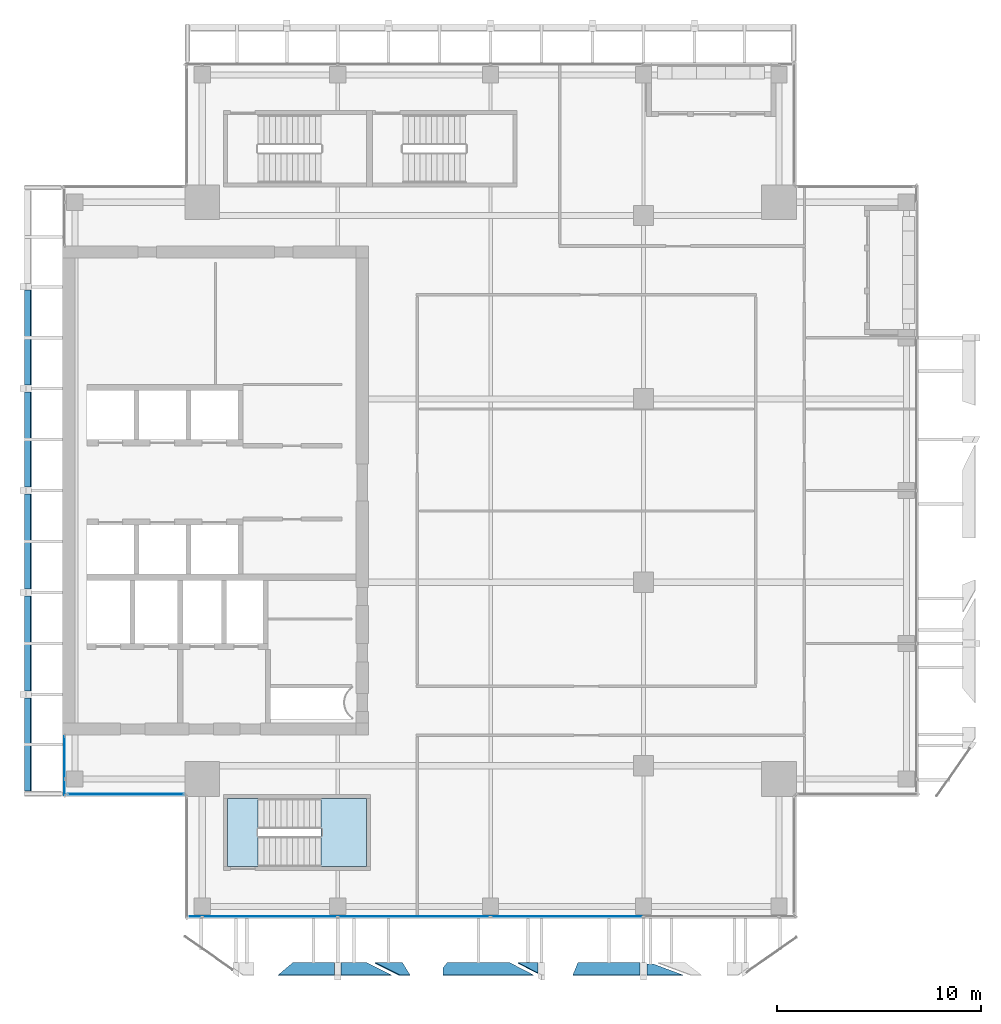
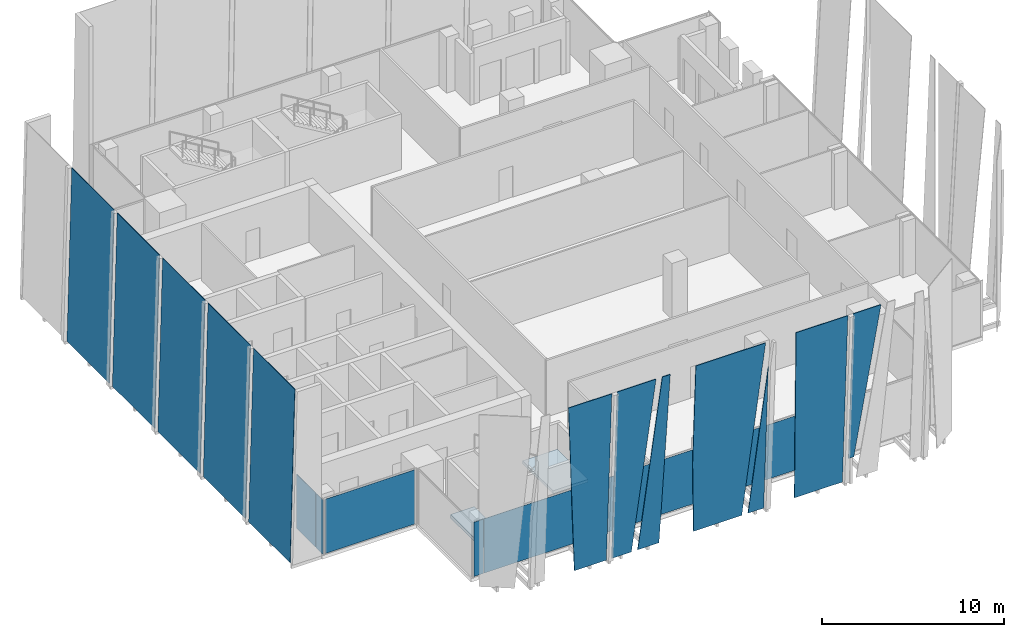
# One storey, part 21 of 32: 19 plates, 2 slabs, 4 elements without a shape of their own.
"""IFC4 building model written with IfcOpenShell, lengths in metres."""

from ifc_helpers import new_model, si_unit, direction, frame, origin, origin_2d, place, context, subcontext, project, spatial, polyline, rectangle, outline, extrude, source, transform, mapped, material, layer, layer_set, type_object, element, aggregate, save


model = new_model("IFC4")

# Units and contexts
model_context = context("Model", 3, precision=1e-05, world=origin(), true_north=direction((0.0, 1.0)))
body_context = subcontext(model_context, "Body", "Model", "MODEL_VIEW")
ifc_project = project(units=[si_unit("LENGTHUNIT", "METRE"), si_unit("AREAUNIT", "SQUARE_METRE"), si_unit("VOLUMEUNIT", "CUBIC_METRE"), si_unit("PLANEANGLEUNIT", "RADIAN"), si_unit("MASSUNIT", "GRAM", prefix="KILO")], contexts=[model_context])

# Site, building, storey
site_placement = place(None, origin())
site = spatial("IfcSite", under=ifc_project, at=site_placement, CompositionType="ELEMENT")
building_placement = place(site_placement, origin())
building = spatial("IfcBuilding", under=site, at=building_placement, Name="Khomas Fold Tower", CompositionType="ELEMENT")
storey_placement = place(building_placement, frame((0.0, 0.0, 306.199951171875)))
storey = spatial("IfcBuildingStorey", under=building, at=storey_placement, Name="L69", CompositionType="ELEMENT", Elevation=306.199951171875)

# Plates
ifc_material_1 = material(Name="Clear laminated glass", Category="glass")
ifc_layer_1 = layer(ifc_material_1, 0.0400390625)
ifc_layer_set_1 = layer_set([ifc_layer_1], Name="Clear laminated glass")
plate_type_1 = type_object("IfcPlateType", Name="SK-Clear laminated glass leaf", PredefinedType="SHEET", material=ifc_layer_set_1)
plate_1_placement = place(storey_placement, frame((22.673828125, 3.84228515625, 0.0), z_axis=(0.0, 0.99862882819, 0.052349436554), x_axis=(-1.0, 0.0, 0.0)))
element("IfcPlate", 1, at=plate_1_placement, inside=storey, type_object=plate_type_1, Name="OUTER SKIN glass L69 SG100-4", PredefinedType="SHEET", context=body_context, shape_type="SweptSolid", body=[
    extrude(outline(polyline([(0.0, 0.0), (1.3486328125, 0.0), (0.134033203125, 11.565907674683308), (-0.37255859375, 11.565907674683308), (0.0, 0.0)])), origin(), (0.0, 0.0, -1.0), 0.0400390625),
])
plate_2_placement = place(storey_placement, frame((17.30029296875, 3.84228515625, 0.0), z_axis=(0.0, 0.99862882819, 0.052349436554), x_axis=(-0.062276035864, -0.052247824406, 0.996690453552)))
element("IfcPlate", 2, at=plate_2_placement, inside=storey, type_object=plate_type_1, Name="OUTER SKIN glass L69 SG099-5", PredefinedType="SHEET", context=body_context, shape_type="SweptSolid", body=[
    extrude(outline(polyline([(0.0, 0.0), (11.588401180087285, 0.0), (11.41705085679879, 2.746124151072042), (-0.1264069731872715, 2.0258452699212914), (0.0, 0.0)])), origin(), (0.0, 0.0, -1.0), 0.0400390625),
])
plate_3_placement = place(storey_placement, frame((20.9228515625, 3.84228515625, 0.0), z_axis=(0.0, 0.99862882819, 0.052349436554), x_axis=(-1.0, 0.0, 0.0)))
element("IfcPlate", 3, at=plate_3_placement, inside=storey, type_object=plate_type_1, Name="OUTER SKIN glass L69 SG100-7", PredefinedType="SHEET", context=body_context, shape_type="SweptSolid", body=[
    extrude(outline(polyline([(0.0, 0.0), (1.2529296875, 0.0), (1.2529296875, 11.565907674683308), (-1.214599609375, 11.565907674683308), (0.0, 0.0)])), origin(), (0.0, 0.0, -1.0), 0.0400390625),
])
plate_4_placement = place(storey_placement, frame((28.3349609375, 3.84228515625, 0.0), z_axis=(0.0, 0.99862954334, 0.052335792417), x_axis=(0.100776210672, -0.052069357133, 0.993545639319)))
element("IfcPlate", 4, at=plate_4_placement, inside=storey, type_object=plate_type_1, Name="OUTER SKIN glass L69 SG101-8", PredefinedType="SHEET", context=body_context, shape_type="SweptSolid", body=[
    extrude(outline(polyline([(0.0, 0.0), (9.874524759977119, 0.0), (0.10028413933109677, 0.9900511644640045), (0.0, 0.0)])), origin(), (0.0, 0.0, -1.0), 0.0400390625),
])
plate_5_placement = place(storey_placement, frame((27.932861328125, 3.84228515625, 0.0), z_axis=(-1.3751613e-05, 0.998628840815, 0.052349193919), x_axis=(-0.999999999905, -1.3732757e-05, -7.19886e-07)))
element("IfcPlate", 5, at=plate_5_placement, inside=storey, type_object=plate_type_1, Name="OUTER SKIN glass L69 SG101-10", PredefinedType="SHEET", context=body_context, shape_type="SweptSolid", body=[
    extrude(outline(polyline([(0.0, 0.0), (3.0585937497108, 0.0), (3.2629394542720833, 4.782930887820361), (3.2629394528551208, 11.565907674682967), (-1.1713867186005982, 11.565907674682967), (0.0, 0.0)])), origin(), (0.0, 0.0, -1.0), 0.0400390625),
])
plate_6_placement = place(storey_placement, frame((31.283935546875, 3.84228515625, 0.0), z_axis=(0.0, 0.99862882819, 0.052349436554), x_axis=(-0.021462545744, -0.05233737802, 0.998398797071)))
element("IfcPlate", 6, at=plate_6_placement, inside=storey, type_object=plate_type_1, Name="OUTER SKIN glass L69 SG102-12", PredefinedType="SHEET", context=body_context, shape_type="SweptSolid", body=[
    extrude(outline(polyline([(0.0, 0.0), (11.568572460236323, -2.7755575615628914e-17), (11.497865528528642, 3.293674730971021), (-0.06537797442691227, 3.0454409084278513), (0.0, 0.0)])), origin(), (0.0, 0.0, -1.0), 0.0400390625),
])
plate_7_placement = place(storey_placement, frame((34.669921875, 3.23681640625, 11.550048828125), z_axis=(0.0, 0.998628731094, 0.052351288757), x_axis=(1.0, 0.0, 0.0)))
element("IfcPlate", 7, at=plate_7_placement, inside=storey, type_object=plate_type_1, Name="OUTER SKIN glass L69 SG103-14", PredefinedType="SHEET", context=body_context, shape_type="SweptSolid", body=[
    extrude(outline(polyline([(0.0, 0.0), (1.764404296875, 0.0), (0.340576171875, 10.06384907143626), (0.0, 10.06384907143626), (0.0, 0.0)])), origin(), (0.0, 0.0, -1.0), 0.0400390625),
])
plate_8_placement = place(storey_placement, frame((4.120361328125, 12.27001953125, 0.0009765625), z_axis=(-0.999657783631, 0.0, 0.026159427089), x_axis=(0.0, 1.0, 0.0)))
element("IfcPlate", 8, at=plate_8_placement, inside=storey, type_object=plate_type_1, Name="OUTER SKIN glass L69 W1", PredefinedType="SHEET", context=body_context, shape_type="SweptSolid", body=[
    extrude(outline(polyline([(0.0, 0.0), (4.56005859375, 0.0), (4.56005859375, -11.554002797007572), (0.0, -11.554002797007572), (0.0, 0.0)])), origin(), (0.0, 0.0, -1.0), 0.0400390625),
])
for number, where, z_axis, x_axis, name in (
    (9, (4.120361328125, 17.169921875, 0.0009765625), (-0.999657783631, 0.0, 0.026159427089), (0.0, 1.0, 0.0), "OUTER SKIN glass L69 W3"),
    (10, (4.120361328125, 22.169921875, 0.0009765625), (-0.999657783631, 0.0, 0.026159427089), (0.0, 1.0, 0.0), "OUTER SKIN glass L69 W5"),
    (11, (4.120361328125, 27.169921875, 0.0009765625), (-0.999657783631, 0.0, 0.026159427089), (0.0, 1.0, 0.0), "OUTER SKIN glass L69 W7"),
    (12, (4.120361328125, 32.169921875, 0.0009765625), (-0.999657783631, 0.0, 0.026159427089), (0.0, 1.0, 0.0), "OUTER SKIN glass L69 W9"),
):
    element("IfcPlate", number, at=place(storey_placement, frame(where, z_axis=z_axis, x_axis=x_axis)), inside=storey, type_object=plate_type_1, Name=name, PredefinedType="SHEET", context=body_context, shape_type="SweptSolid", body=[
        extrude(outline(polyline([(0.0, 0.0), (4.66015625, 0.0), (4.66015625, -11.554002797007573), (0.0, -11.554002797007573), (0.0, 0.0)])), origin(), (0.0, 0.0, -1.0), 0.0400390625),
    ])

# Curtain wall, plates
ifc_material_2 = material(Name="Aluminium framed double glazing", Category="aluminium")
curtain_wall_type = type_object("IfcCurtainWallType", Name="SK-Unitised clear-glass wall, upper floors CW3", PredefinedType="NOTDEFINED", material=ifc_material_2)
curtain_wall_1_placement = place(storey_placement, origin())
curtain_wall_1 = element("IfcCurtainWall", 13, at=curtain_wall_1_placement, inside=storey, type_object=curtain_wall_type, Name="CW3 run L69 00-0", PredefinedType="NOTDEFINED")
ifc_material_3 = material(Name="Clear double glazed unit")
ifc_layer_2 = layer(ifc_material_3, 0.028076171875)
ifc_layer_set_2 = layer_set([ifc_layer_2], Name="Clear double glazed unit")
plate_type_2 = type_object("IfcPlateType", Name="SK-Unitised clear-glass wall, upper floors glass panel CW3-P", PredefinedType="CURTAIN_PANEL", material=ifc_layer_set_2)
shared_shape_1 = source(origin(), body_context, "Body", "SweptSolid", [
    extrude(rectangle(XDim=0.574951171875, YDim=0.028076171875, at=origin_2d()), origin(), (0.0, 0.0, 1.0), 3.64990234375),
])
plate_9_placement = place(storey_placement, frame((12.53759765625, 6.10009765625, 0.0), z_axis=(0.0, 0.0, 1.0), x_axis=(1.0, 0.0, 0.0)))
plate_9 = element("IfcPlate", 14, at=plate_9_placement, type_object=plate_type_2, Name="CW3 glass panel 1", PredefinedType="CURTAIN_PANEL", context=body_context, shape_type="MappedRepresentation", body=[
    mapped(shared_shape_1, transform((0.0, 0.0, 0.0))),
])
shared_shape_2 = source(origin(), body_context, "Body", "SweptSolid", [
    extrude(rectangle(XDim=6.60009765625, YDim=0.028076171875, at=origin_2d()), origin(), (0.0, 0.0, 1.0), 3.64990234375),
])
plate_10_placement = place(storey_placement, frame((16.175048828125, 6.10009765625, 0.0), z_axis=(0.0, 0.0, 1.0), x_axis=(1.0, 0.0, 0.0)))
plate_10 = element("IfcPlate", 15, at=plate_10_placement, type_object=plate_type_2, Name="CW3 glass panel 2", PredefinedType="CURTAIN_PANEL", context=body_context, shape_type="MappedRepresentation", body=[
    mapped(shared_shape_2, transform((0.0, 0.0, 0.0))),
])
shared_shape_3 = source(origin(), body_context, "Body", "SweptSolid", [
    extrude(rectangle(XDim=7.449951171875, YDim=0.028076171875, at=origin_2d()), origin(), (0.0, 0.0, 1.0), 3.64990234375),
])
plate_11_placement = place(storey_placement, frame((23.25, 6.10009765625, 0.0), z_axis=(0.0, 0.0, 1.0), x_axis=(1.0, 0.0, 0.0)))
plate_11 = element("IfcPlate", 16, at=plate_11_placement, type_object=plate_type_2, Name="CW3 glass panel 3", PredefinedType="CURTAIN_PANEL", context=body_context, shape_type="MappedRepresentation", body=[
    mapped(shared_shape_3, transform((0.0, 0.0, 0.0))),
])
plate_12_placement = place(storey_placement, frame((30.75, 6.10009765625, 0.0), z_axis=(0.0, 0.0, 1.0), x_axis=(1.0, 0.0, 0.0)))
plate_12 = element("IfcPlate", 17, at=plate_12_placement, type_object=plate_type_2, Name="CW3 glass panel 4", PredefinedType="CURTAIN_PANEL", context=body_context, shape_type="MappedRepresentation", body=[
    mapped(shared_shape_3, transform((0.0, 0.0, 0.0))),
])
aggregate(curtain_wall_1, [plate_9, plate_10, plate_11, plate_12])

# Curtain wall, plate
curtain_wall_2_placement = place(storey_placement, origin())
curtain_wall_2 = element("IfcCurtainWall", 18, at=curtain_wall_2_placement, inside=storey, type_object=curtain_wall_type, Name="CW3 run L69 09-1", PredefinedType="NOTDEFINED")
shared_shape_4 = source(origin(), body_context, "Body", "SweptSolid", [
    extrude(rectangle(XDim=0.77490234375, YDim=0.028076171875, at=origin_2d()), origin(), (0.0, 0.0, 1.0), 3.64990234375),
])
plate_13_placement = place(storey_placement, frame((6.10009765625, 12.4375, 0.0), z_axis=(0.0, 0.0, 1.0), x_axis=(0.0, -1.0, 0.0)))
plate_13 = element("IfcPlate", 19, at=plate_13_placement, type_object=plate_type_2, Name="CW3 glass panel 2", PredefinedType="CURTAIN_PANEL", context=body_context, shape_type="MappedRepresentation", body=[
    mapped(shared_shape_4, transform((0.0, 0.0, 0.0))),
])

curtain_wall_3_placement = place(storey_placement, origin())
curtain_wall_3 = element("IfcCurtainWall", 20, at=curtain_wall_3_placement, inside=storey, type_object=curtain_wall_type, Name="CW3 corner return L69 10", PredefinedType="NOTDEFINED")
shared_shape_5 = source(origin(), body_context, "Body", "SweptSolid", [
    extrude(rectangle(XDim=5.699951171875, YDim=0.028076171875, at=origin_2d()), origin(), (0.0, 0.0, 1.0), 3.64990234375),
])
plate_14_placement = place(storey_placement, frame((9.10009765625, 12.10009765625, 0.0), z_axis=(0.0, 0.0, 1.0), x_axis=(1.0, 0.0, 0.0)))
plate_14 = element("IfcPlate", 21, at=plate_14_placement, type_object=plate_type_2, Name="CW3 glass panel 1", PredefinedType="CURTAIN_PANEL", context=body_context, shape_type="MappedRepresentation", body=[
    mapped(shared_shape_5, transform((0.0, 0.0, 0.0))),
])
aggregate(curtain_wall_3, [plate_14])

# Plate
shared_shape_6 = source(origin(), body_context, "Body", "SweptSolid", [
    extrude(rectangle(XDim=2.074951171875, YDim=0.028076171875, at=origin_2d()), origin(), (0.0, 0.0, 1.0), 3.64990234375),
])
plate_15_placement = place(storey_placement, frame((6.10009765625, 13.91259765625, 0.0), z_axis=(0.0, 0.0, 1.0), x_axis=(0.0, -1.0, 0.0)))
plate_15 = element("IfcPlate", 22, at=plate_15_placement, type_object=plate_type_2, Name="CW3 glass panel 1", PredefinedType="CURTAIN_PANEL", context=body_context, shape_type="MappedRepresentation", body=[
    mapped(shared_shape_6, transform((0.0, 0.0, 0.0))),
])

aggregate(curtain_wall_2, [plate_15, plate_13])

# Stair, slab
ifc_material_4 = material(Name="Concrete C40/50", Category="concrete")
stair_type = type_object("IfcStairType", Name="Stair ST2", PredefinedType="HALF_TURN_STAIR", material=ifc_material_4)
stair_placement = place(storey_placement, origin())
stair = element("IfcStair", 23, at=stair_placement, inside=storey, type_object=stair_type, Name="L69 ST2", PredefinedType="HALF_TURN_STAIR")
ifc_material_5 = material(Name="Concrete C40/50", Category="concrete")
ifc_layer_3 = layer(ifc_material_5, 0.199951171875)
ifc_layer_set_3 = layer_set([ifc_layer_3], Name="Concrete C40/50")
slab_type_1 = type_object("IfcSlabType", Name="Stair landing 200", PredefinedType="LANDING", material=ifc_layer_set_3)
shared_shape_7 = source(origin(), body_context, "Body", "SweptSolid", [
    extrude(outline(polyline([(18.679931640625, 8.550048828125), (20.89990234375, 8.550048828125), (20.89990234375, 11.89990234375), (18.679931640625, 11.89990234375), (18.679931640625, 8.550048828125)])), origin(), (0.0, 0.0, 1.0), 0.199951171875),
])
slab_1_placement = place(storey_placement, frame((0.0, 0.0, 1.800048828125)))
slab_1 = element("IfcSlab", 24, at=slab_1_placement, type_object=slab_type_1, Name="ST2 landing 1", PredefinedType="LANDING", context=body_context, shape_type="MappedRepresentation", body=[
    mapped(shared_shape_7, transform((0.0, 0.0, 0.0))),
])
aggregate(stair, [slab_1])

# Slab
ifc_material_6 = material(Name="Concrete C40/50", Category="concrete")
ifc_layer_4 = layer(ifc_material_6, 0.25)
ifc_layer_set_4 = layer_set([ifc_layer_4], Name="Concrete C40/50")
slab_type_2 = type_object("IfcSlabType", Name="Stair floor landing 250", PredefinedType="LANDING", material=ifc_layer_set_4)
shared_shape_8 = source(origin(), body_context, "Body", "SweptSolid", [
    extrude(outline(polyline([(15.60009765625, 8.550048828125), (14.10009765625, 8.550048828125), (14.10009765625, 11.89990234375), (15.60009765625, 11.89990234375), (15.60009765625, 8.550048828125)])), origin(), (0.0, 0.0, 1.0), 0.25),
])
slab_2_placement = place(storey_placement, frame((0.0, 0.0, -0.25)))
element("IfcSlab", 25, at=slab_2_placement, inside=storey, type_object=slab_type_2, Name="ST2 floor landing", PredefinedType="LANDING", context=body_context, shape_type="MappedRepresentation", body=[
    mapped(shared_shape_8, transform((0.0, 0.0, 0.0))),
])

save(model, "model.ifc")
